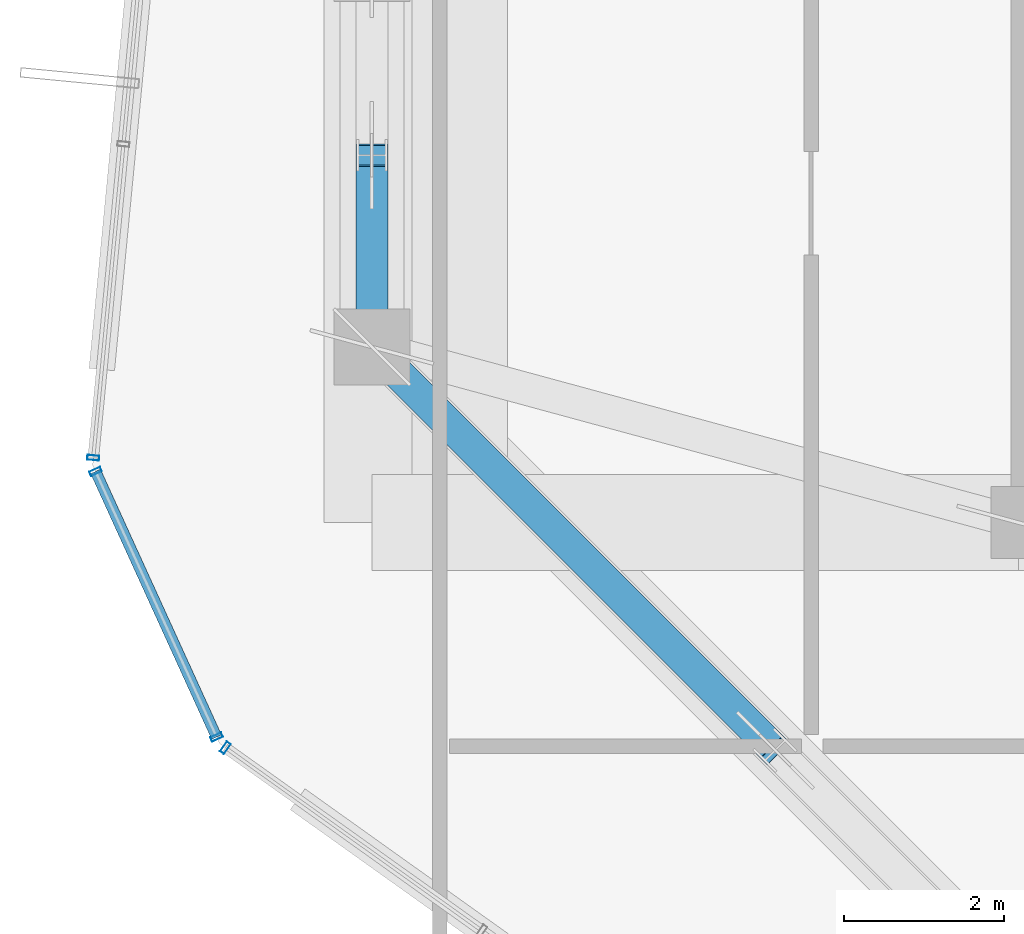
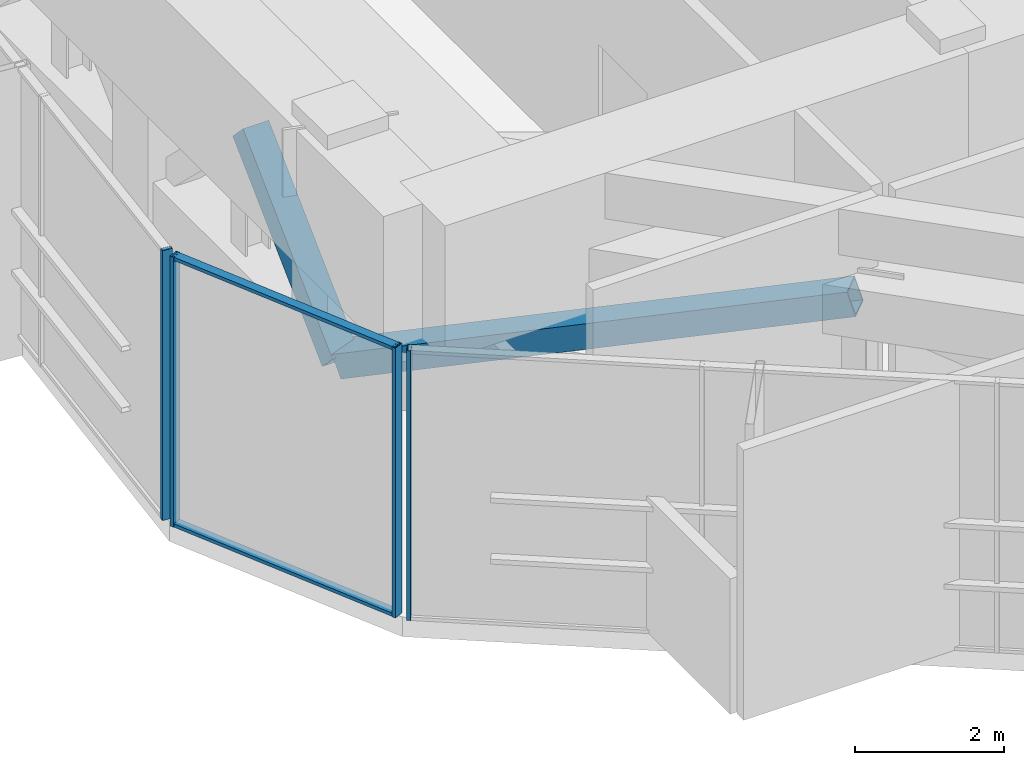
# One storey, part 4 of 31: 8 members, 3 elements without a shape of their own.
"""IFC4 building model written with IfcOpenShell, lengths in metres."""

from ifc_helpers import new_model, si_unit, direction, frame, origin, origin_2d, place, context, subcontext, project, spatial, hollow_rectangle, extrude, source, transform, mapped, material, layer, layer_set, material_profile, profile_set, type_object, element, aggregate, save


model = new_model("IFC4")

# Units and contexts
model_context = context("Model", 3, precision=1e-05, world=origin(), true_north=direction((0.0, 1.0)))
body_context = subcontext(model_context, "Body", "Model", "MODEL_VIEW")
ifc_project = project(units=[si_unit("LENGTHUNIT", "METRE"), si_unit("AREAUNIT", "SQUARE_METRE"), si_unit("VOLUMEUNIT", "CUBIC_METRE"), si_unit("PLANEANGLEUNIT", "RADIAN"), si_unit("MASSUNIT", "GRAM", prefix="KILO")], contexts=[model_context])

# Site, building, storey
site_placement = place(None, origin())
site = spatial("IfcSite", under=ifc_project, at=site_placement, CompositionType="ELEMENT")
building_placement = place(site_placement, origin())
building = spatial("IfcBuilding", under=site, at=building_placement, Name="Veraguas Prism Commons", CompositionType="ELEMENT")
storey_placement = place(building_placement, frame((0.0, 0.0, 225.39990234375)))
storey = spatial("IfcBuildingStorey", under=building, at=storey_placement, Name="L64", CompositionType="ELEMENT", Elevation=225.39990234375)

# Members
ifc_material_1 = material(Name="Steel ASTM A500 Grade C", Category="steel")
ifc_material_profile_1 = material_profile(ifc_material_1, hollow_rectangle(XDim=0.39990234375, YDim=0.39990234375, WallThickness=0.02001953125, at=origin_2d()), Name="HSS400X400X20")
ifc_profile_set_1 = profile_set([ifc_material_profile_1], Name="Steel ASTM A500 Grade C")
member_type_1 = type_object("IfcMemberType", Name="Wind Portal V-Brace HSS 400x400x20", PredefinedType="BRACE", material=ifc_profile_set_1)
member_1_placement = place(storey_placement, frame((9.10009765625, 19.199951171875, 0.550048828125), z_axis=(0.0, 0.719767205746, 0.694215506549), x_axis=(-1.0, 0.0, 0.0)))
element("IfcMember", 1, at=member_1_placement, inside=storey, type_object=member_type_1, Name="Perimeter Belt Truss Brace L64-08B", PredefinedType="BRACE", context=body_context, shape_type="SweptSolid", body=[
    extrude(hollow_rectangle(XDim=0.39990234375, YDim=0.39990234375, WallThickness=0.02001953125, at=origin_2d()), origin(), (0.0, 0.0, 1.0), 3.334716796875),
])
member_2_placement = place(storey_placement, frame((9.10009765625, 19.199951171875, 0.550048828125), z_axis=(0.672635146231, -0.672667665819, 0.308350727933), x_axis=(0.707123873653, 0.707089688307, 0.0)))
element("IfcMember", 2, at=member_2_placement, inside=storey, type_object=member_type_1, Name="Perimeter Belt Truss Brace L64-09A", PredefinedType="BRACE", context=body_context, shape_type="SweptSolid", body=[
    extrude(hollow_rectangle(XDim=0.39990234375, YDim=0.39990234375, WallThickness=0.02001953125, at=origin_2d()), origin(), (0.0, 0.0, 1.0), 7.507568359375),
])

# Curtain wall, members
ifc_material_2 = material(Name="Anodised aluminium EN AW-6063 T6", Category="aluminium")
ifc_layer = layer(ifc_material_2, 0.14990234375, Name="Unitised Flush Curtain Wall Zone 3", Category="aluminium")
ifc_layer_set = layer_set([ifc_layer], Name="Anodised aluminium EN AW-6063 T6")
curtain_wall_type = type_object("IfcCurtainWallType", Name="Unitised Flush Curtain Wall Zone 3", PredefinedType="NOTDEFINED", material=ifc_layer_set)
curtain_wall_1_placement = place(storey_placement, origin())
curtain_wall_1 = element("IfcCurtainWall", 3, at=curtain_wall_1_placement, inside=storey, type_object=curtain_wall_type, Name="Chamfer Curtain Wall L64-C4", PredefinedType="NOTDEFINED")
ifc_material_profile_2 = material_profile(ifc_material_2, hollow_rectangle(XDim=0.054931640625, YDim=0.135009765625, WallThickness=0.0029296875, at=origin_2d()), Name="AL55X135X3")
ifc_profile_set_2 = profile_set([ifc_material_profile_2], Name="Anodised aluminium EN AW-6063 T6")
member_type_2 = type_object("IfcMemberType", Name="Curtain Wall Transom Standard AL 55x135x3", PredefinedType="USERDEFINED", material=ifc_profile_set_2)
shared_shape_1 = source(origin(), body_context, "Body", "SweptSolid", [
    extrude(hollow_rectangle(XDim=0.054931640625, YDim=0.135009765625, WallThickness=0.0029296875, at=origin_2d()), origin(), (0.0, 0.0, 1.0), 3.654296875),
])
member_3_placement = place(storey_placement, frame((5.640869140625, 17.64111328125, 0.027587890625), z_axis=(0.414693707335, -0.90996105911, 0.0), x_axis=(0.0, 0.0, 1.0)))
member_3 = element("IfcMember", 4, at=member_3_placement, type_object=member_type_2, Name="CW-Z3 Transom 1", ObjectType="TRANSOM", PredefinedType="USERDEFINED", context=body_context, shape_type="MappedRepresentation", body=[
    mapped(shared_shape_1, transform((0.0, 0.0, 0.0), scale=1.0)),
])
member_4_placement = place(storey_placement, frame((5.640869140625, 17.64111328125, 4.3876953125), z_axis=(0.414693707335, -0.90996105911, 0.0), x_axis=(0.0, 0.0, 1.0)))
member_4 = element("IfcMember", 5, at=member_4_placement, type_object=member_type_2, Name="CW-Z3 Transom 2", ObjectType="TRANSOM", PredefinedType="USERDEFINED", context=body_context, shape_type="MappedRepresentation", body=[
    mapped(shared_shape_1, transform((0.0, 0.0, 0.0), scale=1.0)),
])

# Curtain wall, member
curtain_wall_2_placement = place(storey_placement, origin())
curtain_wall_2 = element("IfcCurtainWall", 6, at=curtain_wall_2_placement, inside=storey, type_object=curtain_wall_type, Name="Tower Facade Curtain Wall L64-F3", PredefinedType="NOTDEFINED")
ifc_material_profile_3 = material_profile(ifc_material_2, hollow_rectangle(XDim=0.06005859375, YDim=0.14990234375, WallThickness=0.0029296875, at=origin_2d()), Name="AL60X150X3")
ifc_profile_set_3 = profile_set([ifc_material_profile_3], Name="Anodised aluminium EN AW-6063 T6")
member_type_3 = type_object("IfcMemberType", Name="Curtain Wall Mullion Upper AL 60x150x3", PredefinedType="MULLION", material=ifc_profile_set_3)
shared_shape_2 = source(origin(), body_context, "Body", "SweptSolid", [
    extrude(hollow_rectangle(XDim=0.06005859375, YDim=0.14990234375, WallThickness=0.0029296875, at=origin_2d()), origin(), (0.0, 0.0, 1.0), 4.4150390625),
])
member_5_placement = place(storey_placement, frame((5.612060546875, 17.812744140625, 0.0), z_axis=(0.0, 0.0, 1.0), x_axis=(-0.095840540637, -0.995396700201, 0.0)))
member_5 = element("IfcMember", 7, at=member_5_placement, type_object=member_type_3, Name="CW-Z3 Mullion 5", PredefinedType="MULLION", context=body_context, shape_type="MappedRepresentation", body=[
    mapped(shared_shape_2, transform((0.0, 0.0, 0.0), scale=1.0)),
])
aggregate(curtain_wall_2, [member_5])

curtain_wall_3_placement = place(storey_placement, origin())
curtain_wall_3 = element("IfcCurtainWall", 8, at=curtain_wall_3_placement, inside=storey, type_object=curtain_wall_type, Name="Tower Facade Curtain Wall L64-F4", PredefinedType="NOTDEFINED")
member_6_placement = place(storey_placement, frame((7.266845703125, 14.181884765625, 0.0), z_axis=(0.0, 0.0, 1.0), x_axis=(0.814113491316, -0.580705797507, 0.0)))
member_6 = element("IfcMember", 9, at=member_6_placement, type_object=member_type_3, Name="CW-Z3 Mullion 1", PredefinedType="MULLION", context=body_context, shape_type="MappedRepresentation", body=[
    mapped(shared_shape_2, transform((0.0, 0.0, 0.0), scale=1.0)),
])
aggregate(curtain_wall_3, [member_6])

# Member
member_7_placement = place(storey_placement, frame((5.640869140625, 17.64111328125, 0.0), z_axis=(0.0, 0.0, 1.0), x_axis=(0.414691654474, -0.909961994651, 0.0)))
member_7 = element("IfcMember", 10, at=member_7_placement, type_object=member_type_3, Name="CW-Z3 Mullion 1", PredefinedType="MULLION", context=body_context, shape_type="MappedRepresentation", body=[
    mapped(shared_shape_2, transform((0.0, 0.0, 0.0), scale=1.0)),
])

member_8_placement = place(storey_placement, frame((7.15625, 14.31591796875, 0.0), z_axis=(0.0, 0.0, 1.0), x_axis=(0.414691654474, -0.909961994651, 0.0)))
member_8 = element("IfcMember", 11, at=member_8_placement, type_object=member_type_3, Name="CW-Z3 Mullion 2", PredefinedType="MULLION", context=body_context, shape_type="MappedRepresentation", body=[
    mapped(shared_shape_2, transform((0.0, 0.0, 0.0), scale=1.0)),
])

aggregate(curtain_wall_1, [member_7, member_8, member_3, member_4])

save(model, "model.ifc")
